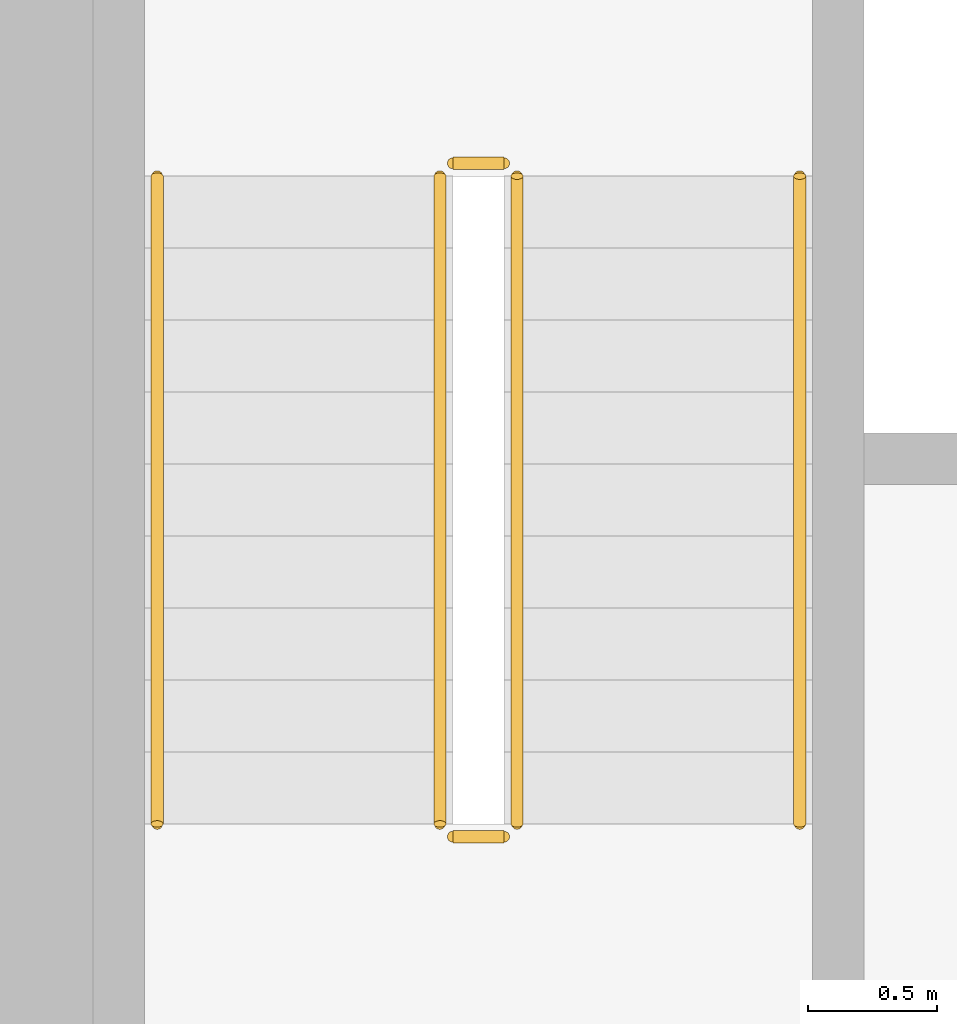
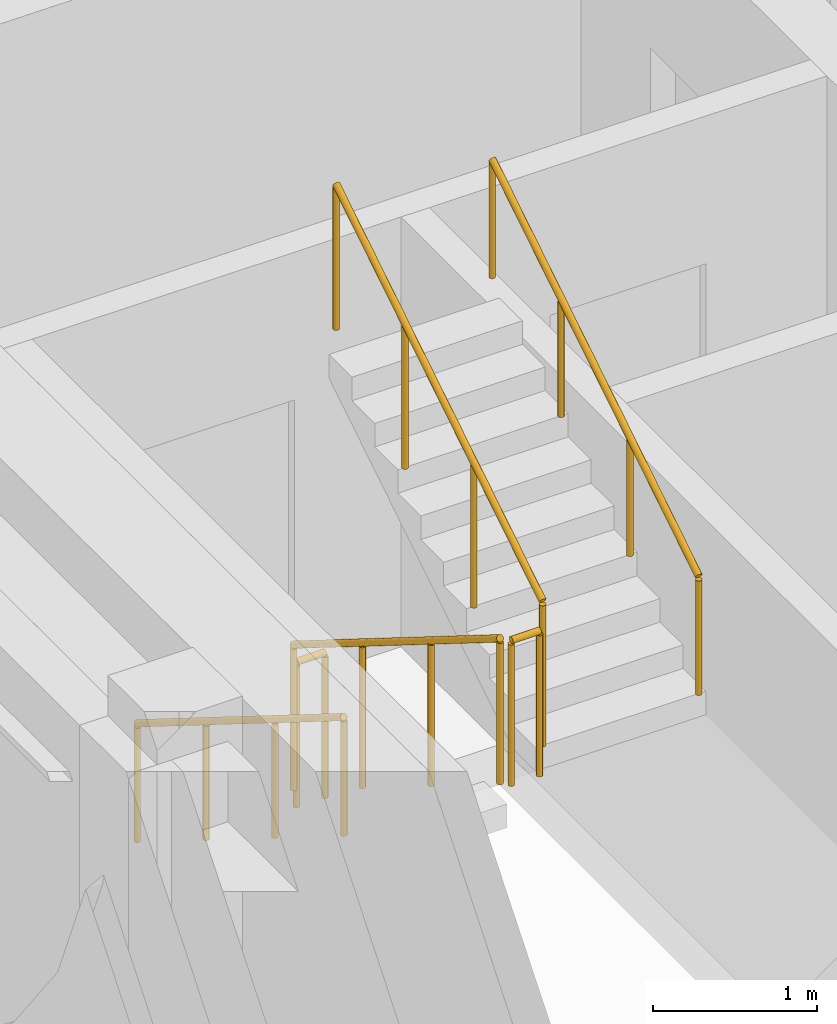
# One storey, part 8 of 12: 6 railings.
"""IFC4 building model written with IfcOpenShell, lengths in metres."""

from ifc_helpers import new_model, si_unit, direction, frame, origin, origin_2d, place, context, subcontext, project, spatial, circle, extrude, material, type_object, element, save


model = new_model("IFC4")

# Units and contexts
model_context = context("Model", 3, precision=1e-05, world=origin(), true_north=direction((0.0, 1.0)))
body_context = subcontext(model_context, "Body", "Model", "MODEL_VIEW")
ifc_project = project(units=[si_unit("LENGTHUNIT", "METRE"), si_unit("AREAUNIT", "SQUARE_METRE"), si_unit("VOLUMEUNIT", "CUBIC_METRE"), si_unit("PLANEANGLEUNIT", "RADIAN"), si_unit("MASSUNIT", "GRAM", prefix="KILO")], contexts=[model_context])

# Site, building, storey
site_placement = place(None, origin())
site = spatial("IfcSite", under=ifc_project, at=site_placement, CompositionType="ELEMENT")
building_placement = place(site_placement, origin())
building = spatial("IfcBuilding", under=site, at=building_placement, Name="Kiln Ring Residences", CompositionType="ELEMENT")
storey_placement = place(building_placement, frame((0.0, 0.0, 306.89990234375)))
storey = spatial("IfcBuildingStorey", under=building, at=storey_placement, Name="L79 Crown", CompositionType="ELEMENT", Elevation=306.89990234375)

# Railings
ifc_material_1 = material(Name="Stainless steel", Category="steel")
railing_type_1 = type_object("IfcRailingType", Name="CORE-STAIR-GUARD", PredefinedType="GUARDRAIL", material=ifc_material_1)
railing_1_placement = place(storey_placement, frame((-22.25, 8.39990234375, 0.175048828125)))
element("IfcRailing", 1, at=railing_1_placement, inside=storey, type_object=railing_type_1, Name="L79 Crown W-STN stair guard 1", PredefinedType="GUARDRAIL", context=body_context, shape_type="SweptSolid", body=[
    extrude(circle(Radius=0.02392578125, at=origin_2d()), frame((0.0, 0.0, 1.076171875), z_axis=(0.0, -0.848007534815, 0.529984170421), x_axis=(1.0, 0.0, 0.0)), (0.0, 0.0, 1.0), 2.9716796875),
    extrude(circle(Radius=0.02099609375, at=origin_2d()), origin(), (0.0, 0.0, 1.0), 1.052001953125),
    extrude(circle(Radius=0.02099609375, at=origin_2d()), frame((0.0, -0.840087890625, 0.52490234375)), (0.0, 0.0, 1.0), 1.052001953125),
    extrude(circle(Radius=0.02099609375, at=origin_2d()), frame((0.0, -1.679931640625, 1.050048828125)), (0.0, 0.0, 1.0), 1.052001953125),
    extrude(circle(Radius=0.02099609375, at=origin_2d()), frame((0.0, -2.52001953125, 1.574951171875)), (0.0, 0.0, 1.0), 1.052001953125),
])
railing_2_placement = place(storey_placement, frame((-22.199951171875, 5.830078125, 1.75)))
element("IfcRailing", 2, at=railing_2_placement, inside=storey, type_object=railing_type_1, Name="L79 Crown W-STN stair guard 2", PredefinedType="GUARDRAIL", context=body_context, shape_type="SweptSolid", body=[
    extrude(circle(Radius=0.02392578125, at=origin_2d()), frame((0.0, 0.0, 1.076171875), z_axis=(1.0, 0.0, 0.0), x_axis=(0.0, 1.0, 0.0)), (0.0, 0.0, 1.0), 0.199951171875),
    extrude(circle(Radius=0.02099609375, at=origin_2d()), origin(), (0.0, 0.0, 1.0), 1.052001953125),
    extrude(circle(Radius=0.02099609375, at=origin_2d()), frame((0.199951171875, 0.0, 0.0)), (0.0, 0.0, 1.0), 1.052001953125),
])
railing_3_placement = place(storey_placement, frame((-21.949951171875, 5.8798828125, 1.925048828125)))
element("IfcRailing", 3, at=railing_3_placement, inside=storey, type_object=railing_type_1, Name="L79 Crown W-STN stair guard 3", PredefinedType="GUARDRAIL", context=body_context, shape_type="SweptSolid", body=[
    extrude(circle(Radius=0.02392578125, at=origin_2d()), frame((0.0, 0.0, 1.076171875), z_axis=(0.0, 0.848007534815, 0.529984170421), x_axis=(-1.0, 0.0, 0.0)), (0.0, 0.0, 1.0), 2.9716796875),
    extrude(circle(Radius=0.02099609375, at=origin_2d()), origin(), (0.0, 0.0, 1.0), 1.052001953125),
    extrude(circle(Radius=0.02099609375, at=origin_2d()), frame((0.0, 0.840087890625, 0.52490234375)), (0.0, 0.0, 1.0), 1.052001953125),
    extrude(circle(Radius=0.02099609375, at=origin_2d()), frame((0.0, 1.679931640625, 1.050048828125)), (0.0, 0.0, 1.0), 1.052001953125),
    extrude(circle(Radius=0.02099609375, at=origin_2d()), frame((0.0, 2.52001953125, 1.574951171875)), (0.0, 0.0, 1.0), 1.052001953125),
])
railing_4_placement = place(storey_placement, frame((-22.199951171875, 8.449951171875, 0.0)))
element("IfcRailing", 4, at=railing_4_placement, inside=storey, type_object=railing_type_1, Name="L79 Crown W-STN stair guard 4", PredefinedType="GUARDRAIL", context=body_context, shape_type="SweptSolid", body=[
    extrude(circle(Radius=0.02392578125, at=origin_2d()), frame((0.0, 0.0, 1.076171875), z_axis=(1.0, 0.0, 0.0), x_axis=(0.0, 1.0, 0.0)), (0.0, 0.0, 1.0), 0.199951171875),
    extrude(circle(Radius=0.02099609375, at=origin_2d()), origin(), (0.0, 0.0, 1.0), 1.052001953125),
    extrude(circle(Radius=0.02099609375, at=origin_2d()), frame((0.199951171875, 0.0, 0.0)), (0.0, 0.0, 1.0), 1.052001953125),
])
ifc_material_2 = material(Name="Stainless steel", Category="steel")
railing_type_2 = type_object("IfcRailingType", Name="CORE-STAIR-HANDRAIL", PredefinedType="HANDRAIL", material=ifc_material_2)
railing_5_placement = place(storey_placement, frame((-23.35009765625, 8.39990234375, 0.175048828125)))
element("IfcRailing", 5, at=railing_5_placement, inside=storey, type_object=railing_type_2, Name="L79 Crown W-STN stair handrail 1", PredefinedType="HANDRAIL", context=body_context, shape_type="SweptSolid", body=[
    extrude(circle(Radius=0.02392578125, at=origin_2d()), frame((0.0, 0.0, 0.8759765625), z_axis=(0.0, -0.848007534815, 0.529984170421), x_axis=(1.0, 0.0, 0.0)), (0.0, 0.0, 1.0), 2.9716796875),
    extrude(circle(Radius=0.02099609375, at=origin_2d()), origin(), (0.0, 0.0, 1.0), 0.851806640625),
    extrude(circle(Radius=0.02099609375, at=origin_2d()), frame((0.0, -0.840087890625, 0.52490234375)), (0.0, 0.0, 1.0), 0.851806640625),
    extrude(circle(Radius=0.02099609375, at=origin_2d()), frame((0.0, -1.679931640625, 1.050048828125)), (0.0, 0.0, 1.0), 0.851806640625),
    extrude(circle(Radius=0.02099609375, at=origin_2d()), frame((0.0, -2.52001953125, 1.574951171875)), (0.0, 0.0, 1.0), 0.851806640625),
])
railing_6_placement = place(storey_placement, frame((-20.85009765625, 5.8798828125, 1.925048828125)))
element("IfcRailing", 6, at=railing_6_placement, inside=storey, type_object=railing_type_2, Name="L79 Crown W-STN stair handrail 2", PredefinedType="HANDRAIL", context=body_context, shape_type="SweptSolid", body=[
    extrude(circle(Radius=0.02392578125, at=origin_2d()), frame((0.0, 0.0, 0.8759765625), z_axis=(0.0, 0.848007534815, 0.529984170421), x_axis=(-1.0, 0.0, 0.0)), (0.0, 0.0, 1.0), 2.9716796875),
    extrude(circle(Radius=0.02099609375, at=origin_2d()), origin(), (0.0, 0.0, 1.0), 0.851806640625),
    extrude(circle(Radius=0.02099609375, at=origin_2d()), frame((0.0, 0.840087890625, 0.52490234375)), (0.0, 0.0, 1.0), 0.851806640625),
    extrude(circle(Radius=0.02099609375, at=origin_2d()), frame((0.0, 1.679931640625, 1.050048828125)), (0.0, 0.0, 1.0), 0.851806640625),
    extrude(circle(Radius=0.02099609375, at=origin_2d()), frame((0.0, 2.52001953125, 1.574951171875)), (0.0, 0.0, 1.0), 0.851806640625),
])

save(model, "model.ifc")
